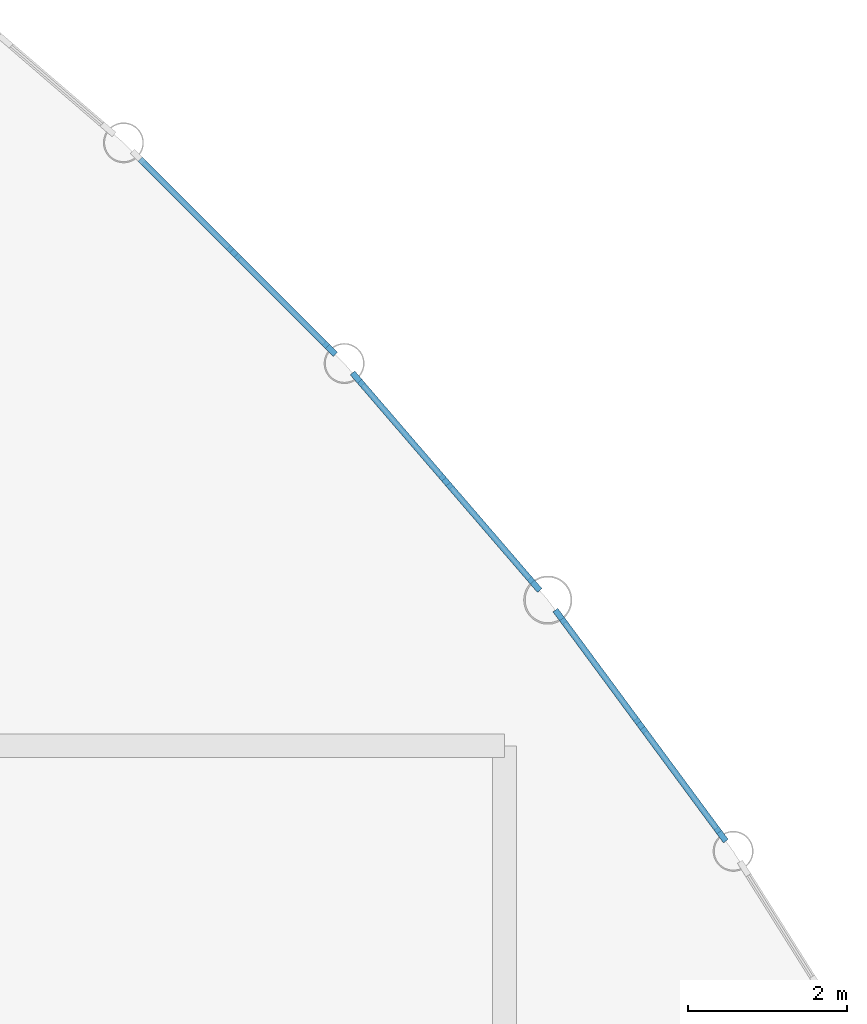
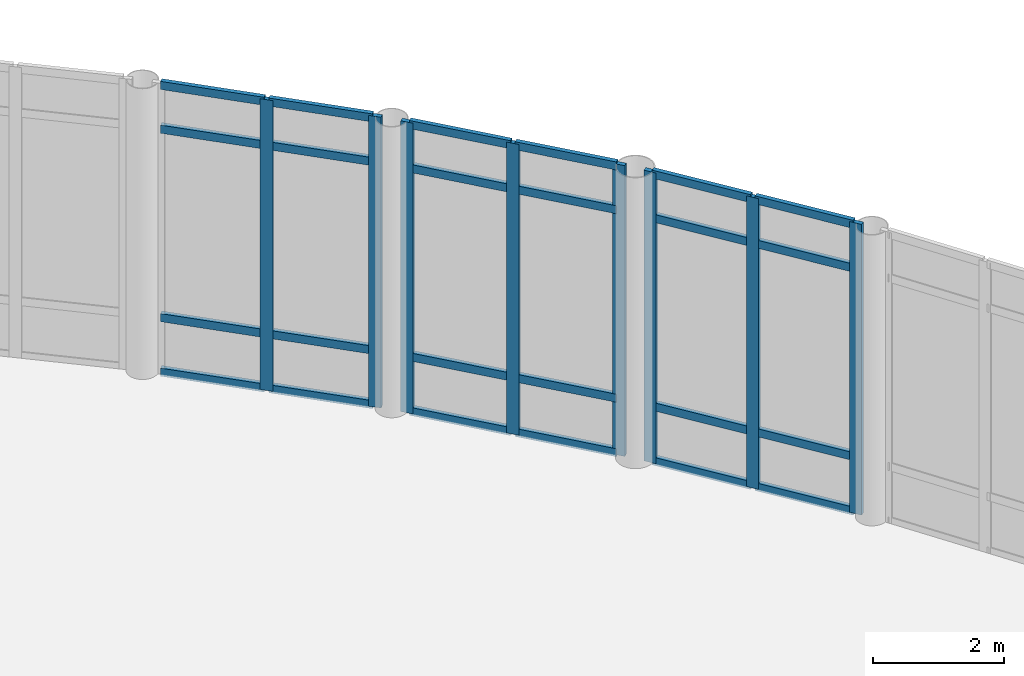
# One storey, part 75 of 111: 32 members, 3 elements without a shape of their own.
"""IFC4 building model written with IfcOpenShell, lengths in metres."""

import ifcopenshell
import ifcopenshell.guid

model = None  # the IFC model being written
_history = None  # IfcOwnerHistory: only IFC2X3 demands one
_inside = {}  # id of a spatial element -> (the spatial element, [elements in it])
_under = {}  # id of a project, library or spatial element -> (it, [spatial elements below it])
_declared = {}  # id of a project -> (the project, [libraries it declares])
_typed = {}  # id of a type object -> (the type object, [elements of that type])
_made_of = {}  # id of a material, layer set ... -> (it, [elements and type objects made of it])


def new_model(schema):
    """Start an empty IFC model of exactly this schema.

    Asked for "IFC4X3", IfcOpenShell would pick the latest addendum, in which some entities
    have other attributes; the version numbers below select the first issue.
    IFC2X3 requires an IfcOwnerHistory on every rooted entity: one is made here for all.
    """
    global model, _history
    if schema == "IFC4X3":
        model = ifcopenshell.file(schema_version=(4, 3, 0, 0))
    else:
        model = ifcopenshell.file(schema=schema)
    _inside.clear()
    _under.clear()
    _declared.clear()
    _typed.clear()
    _made_of.clear()
    _history = None
    if model.schema == "IFC2X3":
        org = make("IfcOrganization", Name="unknown")
        user = make(
            "IfcPersonAndOrganization",
            ThePerson=make("IfcPerson", FamilyName="unknown"),
            TheOrganization=org,
        )
        app = make(
            "IfcApplication",
            ApplicationDeveloper=org,
            Version="unknown",
            ApplicationFullName="unknown",
            ApplicationIdentifier="unknown",
        )
        _history = make(
            "IfcOwnerHistory",
            OwningUser=user,
            OwningApplication=app,
            ChangeAction="ADDED",
            CreationDate=0,
        )
    return model


def make(cls, **values):
    """One entity of the class cls with the attributes given. An attribute that is None is left unset."""
    return model.create_entity(
        cls, **{name: value for name, value in values.items() if value is not None}
    )


def rooted(cls, **values):
    """An entity with a GlobalId (a new one), such as an element, a storey or a relation."""
    return make(cls, GlobalId=ifcopenshell.guid.new(), OwnerHistory=_history, **values)


def si_unit(unit_type, name, prefix=None):
    """IfcSIUnit, for example si_unit("LENGTHUNIT", "METRE", prefix="MILLI")."""
    return make("IfcSIUnit", UnitType=unit_type, Prefix=prefix, Name=name)


def assignment(units):
    """IfcUnitAssignment: the units of a project."""
    return None if units is None else make("IfcUnitAssignment", Units=units)


def point(xyz):
    """IfcCartesianPoint."""
    return None if xyz is None else make("IfcCartesianPoint", Coordinates=xyz)


def direction(xyz):
    """IfcDirection."""
    return None if xyz is None else make("IfcDirection", DirectionRatios=xyz)


def frame(location, z_axis=None, x_axis=None):
    """IfcAxis2Placement3D, a coordinate frame: its origin and axes. An axis left out is left unset."""
    return make(
        "IfcAxis2Placement3D",
        Location=point(location),
        Axis=direction(z_axis),
        RefDirection=direction(x_axis),
    )


def frame_2d(location, x_axis=None):
    """IfcAxis2Placement2D, a coordinate frame in the plane: its origin and x axis."""
    return make(
        "IfcAxis2Placement2D", Location=point(location), RefDirection=direction(x_axis)
    )


def origin():
    """The frame at (0, 0, 0) with its axes left unset."""
    return frame((0.0, 0.0, 0.0))


def origin_2d():
    """The frame at (0, 0) in the plane with its x axis left unset."""
    return frame_2d((0.0, 0.0))


def place(relative_to, where):
    """IfcLocalPlacement: puts the frame where relative to a parent placement (None: the world)."""
    return make(
        "IfcLocalPlacement", PlacementRelTo=relative_to, RelativePlacement=where
    )


def context(
    kind, dimensions, precision=None, world=None, true_north=None, identifier=None
):
    """IfcGeometricRepresentationContext, for example the 3D "Model" context."""
    return make(
        "IfcGeometricRepresentationContext",
        ContextIdentifier=identifier,
        ContextType=kind,
        CoordinateSpaceDimension=dimensions,
        Precision=precision,
        WorldCoordinateSystem=world,
        TrueNorth=true_north,
    )


def subcontext(parent, identifier, kind, view, scale=None):
    """IfcGeometricRepresentationSubContext, for example "Body" below "Model"."""
    return make(
        "IfcGeometricRepresentationSubContext",
        ContextIdentifier=identifier,
        ContextType=kind,
        ParentContext=parent,
        TargetScale=scale,
        TargetView=view,
    )


def project(units=None, contexts=None):
    """IfcProject with its units and contexts."""
    return rooted(
        "IfcProject",
        Name="project",
        RepresentationContexts=contexts,
        UnitsInContext=assignment(units),
    )


def spatial(cls, under=None, at=None, **own):
    """A site, building, storey or space (cls), placed at a placement, below another one or the project."""
    s = rooted(cls, ObjectPlacement=at, **own)
    if under is not None:
        _under.setdefault(under.id(), (under, []))[1].append(s)
    return s


def profile(cls, at=None, kind="AREA", **sizes):
    """A parametric profile (cls). Its sizes go by their IFC names, for example OverallWidth=200.0."""
    return make(cls, ProfileType=kind, Position=at, **sizes)


def rectangle(**sizes):
    """IfcRectangleProfileDef."""
    return profile("IfcRectangleProfileDef", **sizes)


def extrude(swept, where, along, depth):
    """IfcExtrudedAreaSolid: the profile swept, set in the frame where, extruded along a direction by depth."""
    return make(
        "IfcExtrudedAreaSolid",
        SweptArea=swept,
        Position=where,
        ExtrudedDirection=direction(along),
        Depth=depth,
    )


def shape(context_of_items, identifier, shape_type, items):
    """IfcShapeRepresentation: the items that make up one representation, for example the "Body"."""
    return make(
        "IfcShapeRepresentation",
        ContextOfItems=context_of_items,
        RepresentationIdentifier=identifier,
        RepresentationType=shape_type,
        Items=items,
    )


def material(Name=None, Category=None):
    """IfcMaterial."""
    return make("IfcMaterial", Name=Name, Category=Category)


def layer(
    of_material, thickness, ventilated=None, Name=None, Category=None, Priority=None
):
    """IfcMaterialLayer: one layer of a wall or slab, of a material (None: an air gap)."""
    return make(
        "IfcMaterialLayer",
        Material=of_material,
        LayerThickness=thickness,
        IsVentilated=ventilated,
        Name=Name,
        Category=Category,
        Priority=Priority,
    )


def layer_set(layers, Name=None):
    """IfcMaterialLayerSet."""
    return make("IfcMaterialLayerSet", MaterialLayers=layers, LayerSetName=Name)


def material_profile(
    of_material, cross_section, Name=None, Category=None, Priority=None
):
    """IfcMaterialProfile: a cross section and its material."""
    return make(
        "IfcMaterialProfile",
        Name=Name,
        Material=of_material,
        Profile=cross_section,
        Priority=Priority,
        Category=Category,
    )


def profile_set(profiles, Name=None, composite=None):
    """IfcMaterialProfileSet."""
    return make(
        "IfcMaterialProfileSet",
        Name=Name,
        MaterialProfiles=profiles,
        CompositeProfile=composite,
    )


def made_of(thing, what):
    """Note that an element or type object is made of a material, layer set ...; save() writes the relation."""
    if what is not None:
        _made_of.setdefault(what.id(), (what, []))[1].append(thing)
    return thing


def type_object(cls, material=None, **own):
    """A type object (cls), such as IfcWallType, which elements share."""
    return made_of(rooted(cls, **own), material)


def element(
    cls,
    number,
    at=None,
    inside=None,
    cuts=None,
    type_object=None,
    material=None,
    context=None,
    identifier="Body",
    shape_type=None,
    held_by="IfcProductDefinitionShape",
    body=None,
    shapes=None,
    **own,
):
    """One element of the class cls, such as IfcWall. Its Tag is "e" and its number.

    at: its placement. inside: the storey or other place that contains it. cuts: it is an
    opening in that element (IfcRelVoidsElement). A single representation is given by context,
    identifier, shape_type and body (its items); several are given by shapes. held_by: the class
    of the entity that holds the representations. save() writes the other relations.
    """
    e = rooted(cls, Tag="e%d" % number, ObjectPlacement=at, **own)
    if body is not None:
        shapes = [shape(context, identifier, shape_type, body)]
    if shapes is not None:
        e.Representation = make(held_by, Representations=shapes)
    if inside is not None:
        _inside.setdefault(inside.id(), (inside, []))[1].append(e)
    if cuts is not None:
        rooted(
            "IfcRelVoidsElement", RelatingBuildingElement=cuts, RelatedOpeningElement=e
        )
    if type_object is not None:
        _typed.setdefault(type_object.id(), (type_object, []))[1].append(e)
    return made_of(e, material)


def aggregate(whole, parts):
    """IfcRelAggregates: a whole, such as a stair, and the parts it consists of."""
    return rooted("IfcRelAggregates", RelatingObject=whole, RelatedObjects=parts)


def save(model, path):
    """Write the relations noted so far, then the file.

    IfcRelAggregates (storeys below a building ...), IfcRelContainedInSpatialStructure (elements
    in a storey), IfcRelDefinesByType, IfcRelAssociatesMaterial and IfcRelDeclares: one each for
    every whole, place, type object, material and project.
    """
    for whole, parts in _under.values():
        aggregate(whole, parts)
    for where, things in _inside.values():
        rooted(
            "IfcRelContainedInSpatialStructure",
            RelatedElements=things,
            RelatingStructure=where,
        )
    for kind, things in _typed.values():
        rooted("IfcRelDefinesByType", RelatedObjects=things, RelatingType=kind)
    for what, things in _made_of.values():
        rooted("IfcRelAssociatesMaterial", RelatedObjects=things, RelatingMaterial=what)
    for by, libraries in _declared.values():
        rooted("IfcRelDeclares", RelatingContext=by, RelatedDefinitions=libraries)
    model.write(path)


model = new_model("IFC4")

# Units and contexts
model_context = context("Model", 3, precision=1e-05, world=origin(), true_north=direction((0.0, 1.0)))
body_context = subcontext(model_context, "Body", "Model", "MODEL_VIEW")
ifc_project = project(units=[si_unit("LENGTHUNIT", "METRE"), si_unit("AREAUNIT", "SQUARE_METRE"), si_unit("VOLUMEUNIT", "CUBIC_METRE"), si_unit("PLANEANGLEUNIT", "RADIAN"), si_unit("MASSUNIT", "GRAM", prefix="KILO"), si_unit("THERMODYNAMICTEMPERATUREUNIT", "KELVIN"), si_unit("POWERUNIT", "WATT")], contexts=[model_context])

# Site, building, storey
site_placement = place(None, origin())
site = spatial("IfcSite", under=ifc_project, at=site_placement, CompositionType="ELEMENT")
building_placement = place(site_placement, origin())
building = spatial("IfcBuilding", under=site, at=building_placement, Name="Tembeka Court Mobility Hub", CompositionType="ELEMENT")
storey_placement = place(building_placement, origin())
storey = spatial("IfcBuildingStorey", under=building, at=storey_placement, Name="L00", CompositionType="ELEMENT", Elevation=0.0)

# Curtain wall, members
ifc_material = material(Name="Anodised aluminium 6063-T6", Category="aluminium")
ifc_layer = layer(ifc_material, 0.199951171875)
ifc_layer_set = layer_set([ifc_layer], Name="Anodised aluminium 6063-T6")
curtain_wall_type = type_object("IfcCurtainWallType", Name="CW-SYS24", PredefinedType="USERDEFINED", material=ifc_layer_set)
curtain_wall_1_placement = place(storey_placement, origin())
curtain_wall_1 = element("IfcCurtainWall", 1, at=curtain_wall_1_placement, inside=storey, type_object=curtain_wall_type, Name="Unitised curtain wall CW24 (CW-L00-059)", ObjectType="UNITISED GLAZING", PredefinedType="USERDEFINED")
ifc_material_profile_1 = material_profile(ifc_material, rectangle(XDim=0.074951171875, YDim=0.199951171875, at=origin_2d()), Name="ALU-MUL 75x200")
ifc_profile_set_1 = profile_set([ifc_material_profile_1], Name="Anodised aluminium 6063-T6")
member_type_1 = type_object("IfcMemberType", Name="CW-MUL02", PredefinedType="MULLION", material=ifc_profile_set_1)
member_1_placement = place(storey_placement, frame((167.12451171875, 96.08154296875, 0.0), z_axis=(0.0, 0.0, 1.0), x_axis=(-0.804599206298, -0.593818252688, 0.0)))
member_1 = element("IfcMember", 2, at=member_1_placement, type_object=member_type_1, Name="CW24 mullion 1", PredefinedType="MULLION", context=body_context, shape_type="SweptSolid", body=[
    extrude(rectangle(XDim=0.074951171875, YDim=0.199951171875, at=origin_2d()), origin(), (0.0, 0.0, 1.0), 5.39990234375),
])
member_2_placement = place(storey_placement, frame((166.11181640625, 97.453857421875, 0.0), z_axis=(0.0, 0.0, 1.0), x_axis=(-0.804599206298, -0.593818252688, 0.0)))
member_2 = element("IfcMember", 3, at=member_2_placement, type_object=member_type_1, Name="CW24 mullion 2", PredefinedType="MULLION", context=body_context, shape_type="SweptSolid", body=[
    extrude(rectangle(XDim=0.074951171875, YDim=0.199951171875, at=origin_2d()), origin(), (0.0, 0.0, 1.0), 5.39990234375),
])
member_3_placement = place(storey_placement, frame((165.09912109375, 98.825927734375, 0.0), z_axis=(0.0, 0.0, 1.0), x_axis=(-0.804599206298, -0.593818252688, 0.0)))
member_3 = element("IfcMember", 4, at=member_3_placement, type_object=member_type_1, Name="CW24 mullion 3", PredefinedType="MULLION", context=body_context, shape_type="SweptSolid", body=[
    extrude(rectangle(XDim=0.074951171875, YDim=0.199951171875, at=origin_2d()), origin(), (0.0, 0.0, 1.0), 5.39990234375),
])

curtain_wall_2_placement = place(storey_placement, origin())
curtain_wall_2 = element("IfcCurtainWall", 5, at=curtain_wall_2_placement, inside=storey, type_object=curtain_wall_type, Name="Unitised curtain wall CW24 (CW-L00-061)", ObjectType="UNITISED GLAZING", PredefinedType="USERDEFINED")
member_4_placement = place(storey_placement, frame((164.7783203125, 99.228515625, 0.0), z_axis=(0.0, 0.0, 1.0), x_axis=(-0.757955131428, -0.652306690707, 0.0)))
member_4 = element("IfcMember", 6, at=member_4_placement, type_object=member_type_1, Name="CW24 mullion 1", PredefinedType="MULLION", context=body_context, shape_type="SweptSolid", body=[
    extrude(rectangle(XDim=0.074951171875, YDim=0.199951171875, at=origin_2d()), origin(), (0.0, 0.0, 1.0), 5.39990234375),
])
member_5_placement = place(storey_placement, frame((163.665771484375, 100.521240234375, 0.0), z_axis=(0.0, 0.0, 1.0), x_axis=(-0.757955131428, -0.652306690707, 0.0)))
member_5 = element("IfcMember", 7, at=member_5_placement, type_object=member_type_1, Name="CW24 mullion 2", PredefinedType="MULLION", context=body_context, shape_type="SweptSolid", body=[
    extrude(rectangle(XDim=0.074951171875, YDim=0.199951171875, at=origin_2d()), origin(), (0.0, 0.0, 1.0), 5.39990234375),
])
member_6_placement = place(storey_placement, frame((162.55322265625, 101.81396484375, 0.0), z_axis=(0.0, 0.0, 1.0), x_axis=(-0.757955131428, -0.652306690707, 0.0)))
member_6 = element("IfcMember", 8, at=member_6_placement, type_object=member_type_1, Name="CW24 mullion 3", PredefinedType="MULLION", context=body_context, shape_type="SweptSolid", body=[
    extrude(rectangle(XDim=0.074951171875, YDim=0.199951171875, at=origin_2d()), origin(), (0.0, 0.0, 1.0), 5.39990234375),
])

curtain_wall_3_placement = place(storey_placement, origin())
curtain_wall_3 = element("IfcCurtainWall", 9, at=curtain_wall_3_placement, inside=storey, type_object=curtain_wall_type, Name="Unitised curtain wall CW24 (CW-L00-063)", ObjectType="UNITISED GLAZING", PredefinedType="USERDEFINED")
member_7_placement = place(storey_placement, frame((162.203125, 102.191162109375, 0.0), z_axis=(0.0, 0.0, 1.0), x_axis=(-0.707106781187, -0.707106781187, 0.0)))
member_7 = element("IfcMember", 10, at=member_7_placement, type_object=member_type_1, Name="CW24 mullion 1", PredefinedType="MULLION", context=body_context, shape_type="SweptSolid", body=[
    extrude(rectangle(XDim=0.074951171875, YDim=0.199951171875, at=origin_2d()), origin(), (0.0, 0.0, 1.0), 5.39990234375),
])
member_8_placement = place(storey_placement, frame((160.9970703125, 103.397216796875, 0.0), z_axis=(0.0, 0.0, 1.0), x_axis=(-0.707106781187, -0.707106781187, 0.0)))
member_8 = element("IfcMember", 11, at=member_8_placement, type_object=member_type_1, Name="CW24 mullion 2", PredefinedType="MULLION", context=body_context, shape_type="SweptSolid", body=[
    extrude(rectangle(XDim=0.074951171875, YDim=0.199951171875, at=origin_2d()), origin(), (0.0, 0.0, 1.0), 5.39990234375),
])

# Member
ifc_material_profile_2 = material_profile(ifc_material, rectangle(XDim=0.074951171875, YDim=0.14990234375, at=origin_2d()), Name="ALU-TRN 75x150")
ifc_profile_set_2 = profile_set([ifc_material_profile_2], Name="Anodised aluminium 6063-T6")
member_type_2 = type_object("IfcMemberType", Name="CW-TRN02", PredefinedType="USERDEFINED", material=ifc_profile_set_2)
member_9_placement = place(storey_placement, frame((167.102294921875, 96.111572265625, 0.03759765625), z_axis=(-0.593801527186, 0.804611549949, 0.0), x_axis=(-0.804611549949, -0.593801527186, 0.0)))
member_9 = element("IfcMember", 12, at=member_9_placement, type_object=member_type_2, Name="CW24 transom 1.1", ObjectType="TRANSOM", PredefinedType="USERDEFINED", context=body_context, shape_type="SweptSolid", body=[
    extrude(rectangle(XDim=0.074951171875, YDim=0.14990234375, at=origin_2d()), origin(), (0.0, 0.0, 1.0), 1.630615234375),
])

member_10_placement = place(storey_placement, frame((167.102294921875, 96.111572265625, 1.050048828125), z_axis=(-0.593801527186, 0.804611549949, 0.0), x_axis=(-0.804611549949, -0.593801527186, 0.0)))
member_10 = element("IfcMember", 13, at=member_10_placement, type_object=member_type_2, Name="CW24 transom 1.2", ObjectType="TRANSOM", PredefinedType="USERDEFINED", context=body_context, shape_type="SweptSolid", body=[
    extrude(rectangle(XDim=0.074951171875, YDim=0.14990234375, at=origin_2d()), origin(), (0.0, 0.0, 1.0), 1.630615234375),
])

member_11_placement = place(storey_placement, frame((167.102294921875, 96.111572265625, 4.550048828125), z_axis=(-0.593801527186, 0.804611549949, 0.0), x_axis=(-0.804611549949, -0.593801527186, 0.0)))
member_11 = element("IfcMember", 14, at=member_11_placement, type_object=member_type_2, Name="CW24 transom 1.3", ObjectType="TRANSOM", PredefinedType="USERDEFINED", context=body_context, shape_type="SweptSolid", body=[
    extrude(rectangle(XDim=0.074951171875, YDim=0.14990234375, at=origin_2d()), origin(), (0.0, 0.0, 1.0), 1.630615234375),
])

member_12_placement = place(storey_placement, frame((167.102294921875, 96.111572265625, 5.362548828125), z_axis=(-0.593801527186, 0.804611549949, 0.0), x_axis=(-0.804611549949, -0.593801527186, 0.0)))
member_12 = element("IfcMember", 15, at=member_12_placement, type_object=member_type_2, Name="CW24 transom 1.4", ObjectType="TRANSOM", PredefinedType="USERDEFINED", context=body_context, shape_type="SweptSolid", body=[
    extrude(rectangle(XDim=0.074951171875, YDim=0.14990234375, at=origin_2d()), origin(), (0.0, 0.0, 1.0), 1.630615234375),
])

member_13_placement = place(storey_placement, frame((166.089599609375, 97.48388671875, 0.03759765625), z_axis=(-0.593801527186, 0.804611549949, 0.0), x_axis=(-0.804611549949, -0.593801527186, 0.0)))
member_13 = element("IfcMember", 16, at=member_13_placement, type_object=member_type_2, Name="CW24 transom 2.1", ObjectType="TRANSOM", PredefinedType="USERDEFINED", context=body_context, shape_type="SweptSolid", body=[
    extrude(rectangle(XDim=0.074951171875, YDim=0.14990234375, at=origin_2d()), origin(), (0.0, 0.0, 1.0), 1.630615234375),
])

member_14_placement = place(storey_placement, frame((166.089599609375, 97.48388671875, 1.050048828125), z_axis=(-0.593801527186, 0.804611549949, 0.0), x_axis=(-0.804611549949, -0.593801527186, 0.0)))
member_14 = element("IfcMember", 17, at=member_14_placement, type_object=member_type_2, Name="CW24 transom 2.2", ObjectType="TRANSOM", PredefinedType="USERDEFINED", context=body_context, shape_type="SweptSolid", body=[
    extrude(rectangle(XDim=0.074951171875, YDim=0.14990234375, at=origin_2d()), origin(), (0.0, 0.0, 1.0), 1.630615234375),
])

member_15_placement = place(storey_placement, frame((166.089599609375, 97.48388671875, 4.550048828125), z_axis=(-0.593801527186, 0.804611549949, 0.0), x_axis=(-0.804611549949, -0.593801527186, 0.0)))
member_15 = element("IfcMember", 18, at=member_15_placement, type_object=member_type_2, Name="CW24 transom 2.3", ObjectType="TRANSOM", PredefinedType="USERDEFINED", context=body_context, shape_type="SweptSolid", body=[
    extrude(rectangle(XDim=0.074951171875, YDim=0.14990234375, at=origin_2d()), origin(), (0.0, 0.0, 1.0), 1.630615234375),
])

member_16_placement = place(storey_placement, frame((166.089599609375, 97.48388671875, 5.362548828125), z_axis=(-0.593801527186, 0.804611549949, 0.0), x_axis=(-0.804611549949, -0.593801527186, 0.0)))
member_16 = element("IfcMember", 19, at=member_16_placement, type_object=member_type_2, Name="CW24 transom 2.4", ObjectType="TRANSOM", PredefinedType="USERDEFINED", context=body_context, shape_type="SweptSolid", body=[
    extrude(rectangle(XDim=0.074951171875, YDim=0.14990234375, at=origin_2d()), origin(), (0.0, 0.0, 1.0), 1.630615234375),
])

aggregate(curtain_wall_1, [member_1, member_2, member_3, member_9, member_10, member_11, member_12, member_13, member_14, member_15, member_16])

member_17_placement = place(storey_placement, frame((164.753662109375, 99.2568359375, 0.03759765625), z_axis=(-0.65226992658, 0.757986769594, 0.0), x_axis=(-0.757986769594, -0.65226992658, 0.0)))
member_17 = element("IfcMember", 20, at=member_17_placement, type_object=member_type_2, Name="CW24 transom 1.1", ObjectType="TRANSOM", PredefinedType="USERDEFINED", context=body_context, shape_type="SweptSolid", body=[
    extrude(rectangle(XDim=0.074951171875, YDim=0.14990234375, at=origin_2d()), origin(), (0.0, 0.0, 1.0), 1.63037109375),
])

member_18_placement = place(storey_placement, frame((164.753662109375, 99.2568359375, 1.050048828125), z_axis=(-0.65226992658, 0.757986769594, 0.0), x_axis=(-0.757986769594, -0.65226992658, 0.0)))
member_18 = element("IfcMember", 21, at=member_18_placement, type_object=member_type_2, Name="CW24 transom 1.2", ObjectType="TRANSOM", PredefinedType="USERDEFINED", context=body_context, shape_type="SweptSolid", body=[
    extrude(rectangle(XDim=0.074951171875, YDim=0.14990234375, at=origin_2d()), origin(), (0.0, 0.0, 1.0), 1.63037109375),
])

member_19_placement = place(storey_placement, frame((164.753662109375, 99.2568359375, 4.550048828125), z_axis=(-0.65226992658, 0.757986769594, 0.0), x_axis=(-0.757986769594, -0.65226992658, 0.0)))
member_19 = element("IfcMember", 22, at=member_19_placement, type_object=member_type_2, Name="CW24 transom 1.3", ObjectType="TRANSOM", PredefinedType="USERDEFINED", context=body_context, shape_type="SweptSolid", body=[
    extrude(rectangle(XDim=0.074951171875, YDim=0.14990234375, at=origin_2d()), origin(), (0.0, 0.0, 1.0), 1.63037109375),
])

member_20_placement = place(storey_placement, frame((164.753662109375, 99.2568359375, 5.362548828125), z_axis=(-0.65226992658, 0.757986769594, 0.0), x_axis=(-0.757986769594, -0.65226992658, 0.0)))
member_20 = element("IfcMember", 23, at=member_20_placement, type_object=member_type_2, Name="CW24 transom 1.4", ObjectType="TRANSOM", PredefinedType="USERDEFINED", context=body_context, shape_type="SweptSolid", body=[
    extrude(rectangle(XDim=0.074951171875, YDim=0.14990234375, at=origin_2d()), origin(), (0.0, 0.0, 1.0), 1.63037109375),
])

member_21_placement = place(storey_placement, frame((163.641357421875, 100.549560546875, 0.03759765625), z_axis=(-0.652355946515, 0.757912738412, 0.0), x_axis=(-0.757912738412, -0.652355946515, 0.0)))
member_21 = element("IfcMember", 24, at=member_21_placement, type_object=member_type_2, Name="CW24 transom 2.1", ObjectType="TRANSOM", PredefinedType="USERDEFINED", context=body_context, shape_type="SweptSolid", body=[
    extrude(rectangle(XDim=0.074951171875, YDim=0.14990234375, at=origin_2d()), origin(), (0.0, 0.0, 1.0), 1.630615234375),
])

member_22_placement = place(storey_placement, frame((163.641357421875, 100.549560546875, 1.050048828125), z_axis=(-0.652355946515, 0.757912738412, 0.0), x_axis=(-0.757912738412, -0.652355946515, 0.0)))
member_22 = element("IfcMember", 25, at=member_22_placement, type_object=member_type_2, Name="CW24 transom 2.2", ObjectType="TRANSOM", PredefinedType="USERDEFINED", context=body_context, shape_type="SweptSolid", body=[
    extrude(rectangle(XDim=0.074951171875, YDim=0.14990234375, at=origin_2d()), origin(), (0.0, 0.0, 1.0), 1.630615234375),
])

member_23_placement = place(storey_placement, frame((163.641357421875, 100.549560546875, 4.550048828125), z_axis=(-0.652355946515, 0.757912738412, 0.0), x_axis=(-0.757912738412, -0.652355946515, 0.0)))
member_23 = element("IfcMember", 26, at=member_23_placement, type_object=member_type_2, Name="CW24 transom 2.3", ObjectType="TRANSOM", PredefinedType="USERDEFINED", context=body_context, shape_type="SweptSolid", body=[
    extrude(rectangle(XDim=0.074951171875, YDim=0.14990234375, at=origin_2d()), origin(), (0.0, 0.0, 1.0), 1.630615234375),
])

member_24_placement = place(storey_placement, frame((163.641357421875, 100.549560546875, 5.362548828125), z_axis=(-0.652355946515, 0.757912738412, 0.0), x_axis=(-0.757912738412, -0.652355946515, 0.0)))
member_24 = element("IfcMember", 27, at=member_24_placement, type_object=member_type_2, Name="CW24 transom 2.4", ObjectType="TRANSOM", PredefinedType="USERDEFINED", context=body_context, shape_type="SweptSolid", body=[
    extrude(rectangle(XDim=0.074951171875, YDim=0.14990234375, at=origin_2d()), origin(), (0.0, 0.0, 1.0), 1.630615234375),
])

aggregate(curtain_wall_2, [member_4, member_5, member_6, member_17, member_18, member_19, member_20, member_21, member_22, member_23, member_24])

member_25_placement = place(storey_placement, frame((162.176513671875, 102.2177734375, 0.03759765625), z_axis=(-0.707106781187, 0.707106781187, 0.0), x_axis=(-0.707106781187, -0.707106781187, 0.0)))
member_25 = element("IfcMember", 28, at=member_25_placement, type_object=member_type_2, Name="CW24 transom 1.1", ObjectType="TRANSOM", PredefinedType="USERDEFINED", context=body_context, shape_type="SweptSolid", body=[
    extrude(rectangle(XDim=0.074951171875, YDim=0.14990234375, at=origin_2d()), origin(), (0.0, 0.0, 1.0), 1.63037109375),
])

member_26_placement = place(storey_placement, frame((162.176513671875, 102.2177734375, 1.050048828125), z_axis=(-0.707106781187, 0.707106781187, 0.0), x_axis=(-0.707106781187, -0.707106781187, 0.0)))
member_26 = element("IfcMember", 29, at=member_26_placement, type_object=member_type_2, Name="CW24 transom 1.2", ObjectType="TRANSOM", PredefinedType="USERDEFINED", context=body_context, shape_type="SweptSolid", body=[
    extrude(rectangle(XDim=0.074951171875, YDim=0.14990234375, at=origin_2d()), origin(), (0.0, 0.0, 1.0), 1.63037109375),
])

member_27_placement = place(storey_placement, frame((162.176513671875, 102.2177734375, 4.550048828125), z_axis=(-0.707106781187, 0.707106781187, 0.0), x_axis=(-0.707106781187, -0.707106781187, 0.0)))
member_27 = element("IfcMember", 30, at=member_27_placement, type_object=member_type_2, Name="CW24 transom 1.3", ObjectType="TRANSOM", PredefinedType="USERDEFINED", context=body_context, shape_type="SweptSolid", body=[
    extrude(rectangle(XDim=0.074951171875, YDim=0.14990234375, at=origin_2d()), origin(), (0.0, 0.0, 1.0), 1.63037109375),
])

member_28_placement = place(storey_placement, frame((162.176513671875, 102.2177734375, 5.362548828125), z_axis=(-0.707106781187, 0.707106781187, 0.0), x_axis=(-0.707106781187, -0.707106781187, 0.0)))
member_28 = element("IfcMember", 31, at=member_28_placement, type_object=member_type_2, Name="CW24 transom 1.4", ObjectType="TRANSOM", PredefinedType="USERDEFINED", context=body_context, shape_type="SweptSolid", body=[
    extrude(rectangle(XDim=0.074951171875, YDim=0.14990234375, at=origin_2d()), origin(), (0.0, 0.0, 1.0), 1.63037109375),
])

member_29_placement = place(storey_placement, frame((160.970703125, 103.423583984375, 0.03759765625), z_axis=(-0.707106781187, 0.707106781187, 0.0), x_axis=(-0.707106781187, -0.707106781187, 0.0)))
member_29 = element("IfcMember", 32, at=member_29_placement, type_object=member_type_2, Name="CW24 transom 2.1", ObjectType="TRANSOM", PredefinedType="USERDEFINED", context=body_context, shape_type="SweptSolid", body=[
    extrude(rectangle(XDim=0.074951171875, YDim=0.14990234375, at=origin_2d()), origin(), (0.0, 0.0, 1.0), 1.630615234375),
])

member_30_placement = place(storey_placement, frame((160.970703125, 103.423583984375, 1.050048828125), z_axis=(-0.707106781187, 0.707106781187, 0.0), x_axis=(-0.707106781187, -0.707106781187, 0.0)))
member_30 = element("IfcMember", 33, at=member_30_placement, type_object=member_type_2, Name="CW24 transom 2.2", ObjectType="TRANSOM", PredefinedType="USERDEFINED", context=body_context, shape_type="SweptSolid", body=[
    extrude(rectangle(XDim=0.074951171875, YDim=0.14990234375, at=origin_2d()), origin(), (0.0, 0.0, 1.0), 1.630615234375),
])

member_31_placement = place(storey_placement, frame((160.970703125, 103.423583984375, 4.550048828125), z_axis=(-0.707106781187, 0.707106781187, 0.0), x_axis=(-0.707106781187, -0.707106781187, 0.0)))
member_31 = element("IfcMember", 34, at=member_31_placement, type_object=member_type_2, Name="CW24 transom 2.3", ObjectType="TRANSOM", PredefinedType="USERDEFINED", context=body_context, shape_type="SweptSolid", body=[
    extrude(rectangle(XDim=0.074951171875, YDim=0.14990234375, at=origin_2d()), origin(), (0.0, 0.0, 1.0), 1.630615234375),
])

member_32_placement = place(storey_placement, frame((160.970703125, 103.423583984375, 5.362548828125), z_axis=(-0.707106781187, 0.707106781187, 0.0), x_axis=(-0.707106781187, -0.707106781187, 0.0)))
member_32 = element("IfcMember", 35, at=member_32_placement, type_object=member_type_2, Name="CW24 transom 2.4", ObjectType="TRANSOM", PredefinedType="USERDEFINED", context=body_context, shape_type="SweptSolid", body=[
    extrude(rectangle(XDim=0.074951171875, YDim=0.14990234375, at=origin_2d()), origin(), (0.0, 0.0, 1.0), 1.630615234375),
])

aggregate(curtain_wall_3, [member_7, member_8, member_25, member_26, member_27, member_28, member_29, member_30, member_31, member_32])

save(model, "model.ifc")
